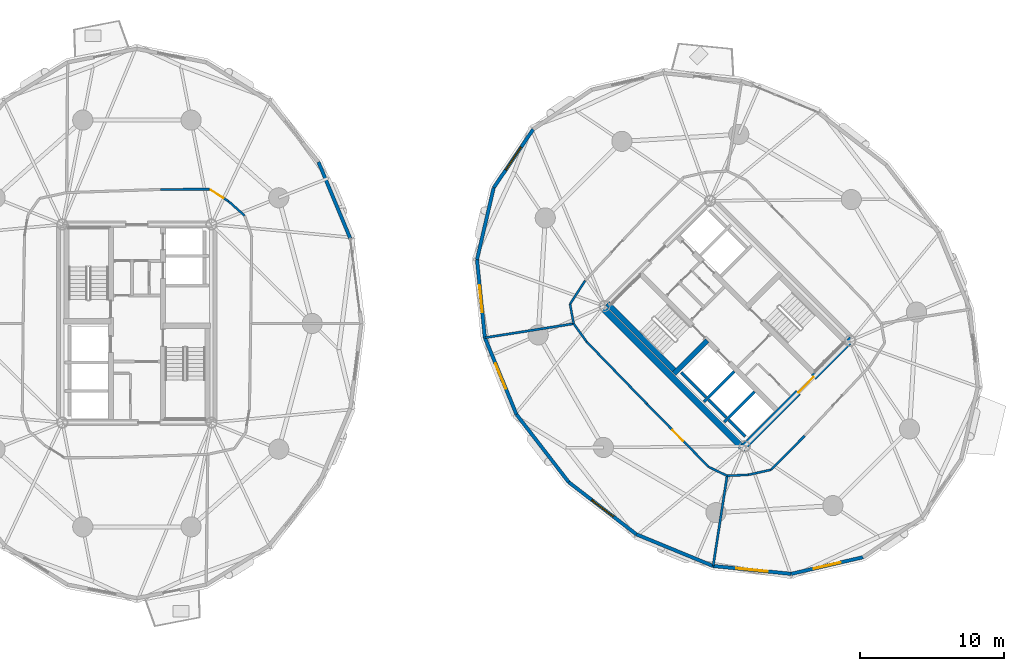
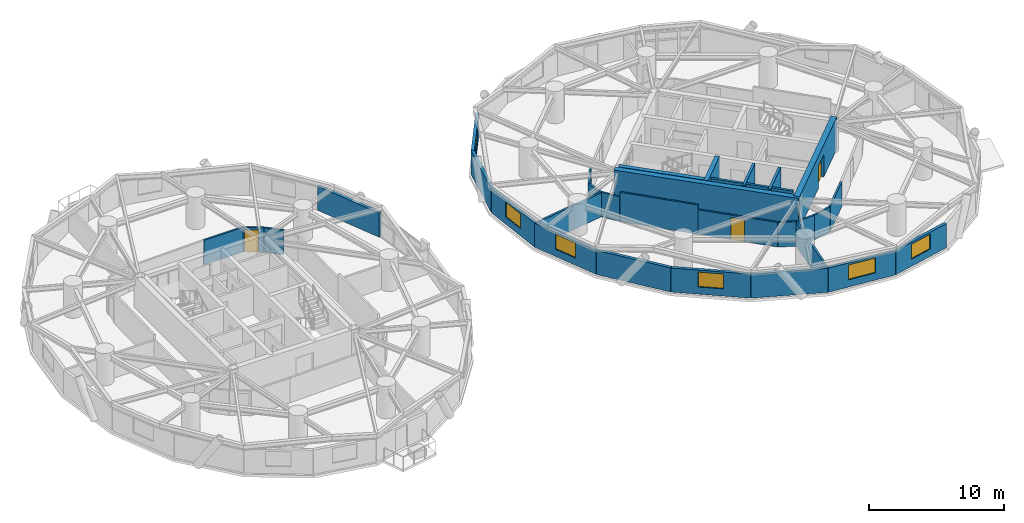
# One storey, part 11 of 17: 33 walls, 6 windows, 3 doors, 9 openings.
"""IFC4 building model written with IfcOpenShell, lengths in metres."""

from ifc_helpers import new_model, si_unit, direction, frame, frame_2d, origin, place, context, subcontext, project, spatial, rectangle, extrude, source, transform, mapped, material, layer, layer_set, type_object, element, fill, save


model = new_model("IFC4")

# Units and contexts
model_context = context("Model", 3, precision=1e-05, world=origin(), true_north=direction((0.0, 1.0)))
body_context = subcontext(model_context, "Body", "Model", "MODEL_VIEW")
ifc_project = project(units=[si_unit("LENGTHUNIT", "METRE"), si_unit("AREAUNIT", "SQUARE_METRE"), si_unit("VOLUMEUNIT", "CUBIC_METRE"), si_unit("PLANEANGLEUNIT", "RADIAN"), si_unit("MASSUNIT", "GRAM", prefix="KILO")], contexts=[model_context])

# Site, building, storey
site_placement = place(None, origin())
site = spatial("IfcSite", under=ifc_project, at=site_placement, CompositionType="ELEMENT")
building_placement = place(site_placement, origin())
building = spatial("IfcBuilding", under=site, at=building_placement, Name="Cununo Teusaquillo Station Towers", CompositionType="ELEMENT")
storey_placement = place(building_placement, frame((0.0, 0.0, 70.14990234375)))
storey = spatial("IfcBuildingStorey", under=building, at=storey_placement, Name="L21", CompositionType="ELEMENT", Elevation=70.14990234375)

# Walls
ifc_material_1 = material(Name="Concrete C50/60", Category="concrete")
ifc_layer_1 = layer(ifc_material_1, 0.199951171875)
ifc_layer_set_1 = layer_set([ifc_layer_1], Name="Concrete C50/60")
wall_type_1 = type_object("IfcWallType", Name="WL-CORE-200", PredefinedType="SHEAR", material=ifc_layer_set_1)
wall_1_placement = place(storey_placement, frame((55.8876953125, 19.0693359375, 0.0), z_axis=(0.0, 0.0, 1.0), x_axis=(0.707106781187, 0.707106781187, 0.0)))
element("IfcWall", 1, at=wall_1_placement, inside=storey, type_object=wall_type_1, Name="L21 Tower B Firefighting Lift Shaft South Shear Wall", PredefinedType="SHEAR", context=body_context, shape_type="SweptSolid", body=[
    extrude(rectangle(XDim=2.969970703125, YDim=0.199951171875, at=frame_2d((1.48486328125, 0.0))), origin(), (0.0, 0.0, 1.0), 2.91015625),
])
wall_2_placement = place(storey_placement, frame((56.01513671875, 19.366455078125, 0.0), z_axis=(0.0, 0.0, 1.0), x_axis=(-0.707106781187, 0.707106781187, 0.0)))
element("IfcWall", 2, at=wall_2_placement, inside=storey, type_object=wall_type_1, Name="L21 Tower B Firefighting Lift Shaft Rear Shear Wall", PredefinedType="SHEAR", context=body_context, shape_type="SweptSolid", body=[
    extrude(rectangle(XDim=2.43994140625, YDim=0.199951171875, at=frame_2d((1.219970703125, 0.0))), origin(), (0.0, 0.0, 1.0), 2.91015625),
])
wall_3_placement = place(storey_placement, frame((57.2841796875, 17.6728515625, 0.0), z_axis=(0.0, 0.0, 1.0), x_axis=(0.707147878904, 0.70706568108, 0.0)))
element("IfcWall", 3, at=wall_3_placement, inside=storey, type_object=wall_type_1, Name="L21 Tower B High-Rise Lift Hoistway Divider Shear Wall", PredefinedType="SHEAR", context=body_context, shape_type="SweptSolid", body=[
    extrude(rectangle(XDim=2.97021484375, YDim=0.199951171875, at=frame_2d((1.485107421875, 0.0))), origin(), (0.0, 0.0, 1.0), 2.91015625),
])
wall_4_placement = place(storey_placement, frame((57.41162109375, 17.969970703125, 0.0), z_axis=(0.0, 0.0, 1.0), x_axis=(-0.707106781187, 0.707106781187, 0.0)))
element("IfcWall", 4, at=wall_4_placement, inside=storey, type_object=wall_type_1, Name="L21 Tower B High-Rise Lift 2 Shaft Rear Shear Wall", PredefinedType="SHEAR", context=body_context, shape_type="SweptSolid", body=[
    extrude(rectangle(XDim=1.73486328125, YDim=0.199951171875, at=frame_2d((0.867431640625, 0.0))), origin(), (0.0, 0.0, 1.0), 2.91015625),
])
wall_5_placement = place(storey_placement, frame((58.7373046875, 16.64404296875, 0.0), z_axis=(0.0, 0.0, 1.0), x_axis=(-0.707032117043, 0.707181437447, 0.0)))
element("IfcWall", 5, at=wall_5_placement, inside=storey, type_object=wall_type_1, Name="L21 Tower B High-Rise Lift 1 Shaft Rear Shear Wall", PredefinedType="SHEAR", context=body_context, shape_type="SweptSolid", body=[
    extrude(rectangle(XDim=1.635009765625, YDim=0.199951171875, at=frame_2d((0.8173828125, 0.0))), origin(), (0.0, 0.0, 1.0), 2.91015625),
])
ifc_material_2 = material(Name="Concrete C50/60", Category="concrete")
ifc_layer_2 = layer(ifc_material_2, 0.35009765625)
ifc_layer_set_2 = layer_set([ifc_layer_2], Name="Concrete C50/60")
wall_type_2 = type_object("IfcWallType", Name="WL-CORE-350", PredefinedType="SHEAR", material=ifc_layer_set_2)
wall_6_placement = place(storey_placement, frame((53.922119140625, 21.14111328125, 0.0), z_axis=(0.0, 0.0, 1.0), x_axis=(-0.707088616009, 0.707124945897, 0.0)))
element("IfcWall", 6, at=wall_6_placement, inside=storey, type_object=wall_type_2, Name="L21 Tower B Core Shear Wall ST1W", PredefinedType="SHEAR", context=body_context, shape_type="SweptSolid", body=[
    extrude(rectangle(XDim=6.72021484375, YDim=0.35009765625, at=frame_2d((3.360107421875, 0.0))), origin(), (0.0, 0.0, 1.0), 2.91015625),
])
wall_7_placement = place(storey_placement, frame((53.7841796875, 21.00341796875, 0.0), z_axis=(0.0, 0.0, 1.0), x_axis=(0.707106781187, 0.707106781187, 0.0)))
element("IfcWall", 7, at=wall_7_placement, inside=storey, type_object=wall_type_2, Name="L21 Tower B Core Shear Wall ST1S", PredefinedType="SHEAR", context=body_context, shape_type="SweptSolid", body=[
    extrude(rectangle(XDim=3.284912109375, YDim=0.35009765625, at=frame_2d((1.642578125, 0.0))), origin(), (0.0, 0.0, 1.0), 2.91015625),
])
ifc_material_3 = material(Name="Concrete C60/75", Category="concrete")
ifc_layer_3 = layer(ifc_material_3, 0.449951171875)
ifc_layer_set_3 = layer_set([ifc_layer_3], Name="Concrete C60/75")
wall_type_3 = type_object("IfcWallType", Name="WL-CORE-450", PredefinedType="SHEAR", material=ifc_layer_set_3)
wall_8_placement = place(storey_placement, frame((58.7373046875, 15.696533203125, 0.0), z_axis=(0.0, 0.0, 1.0), x_axis=(-0.707106781187, 0.707106781187, 0.0)))
element("IfcWall", 8, at=wall_8_placement, inside=storey, type_object=wall_type_3, Name="L21 Tower B Core Shear Wall W", PredefinedType="SHEAR", context=body_context, shape_type="SweptSolid", body=[
    extrude(rectangle(XDim=14.19970703125, YDim=0.449951171875, at=frame_2d((7.099853515625, 0.0))), origin(), (0.0, 0.0, 1.0), 2.91015625),
])

# Wall, opening, door
wall_9_placement = place(storey_placement, frame((58.578369140625, 15.855712890625, 0.0), z_axis=(0.0, 0.0, 1.0), x_axis=(0.707106781187, 0.707106781187, 0.0)))
wall_9 = element("IfcWall", 9, at=wall_9_placement, inside=storey, type_object=wall_type_3, Name="L21 Tower B Core Shear Wall S", PredefinedType="SHEAR", context=body_context, shape_type="SweptSolid", body=[
    extrude(rectangle(XDim=10.69970703125, YDim=0.449951171875, at=frame_2d((5.349853515625, 0.0))), origin(), (0.0, 0.0, 1.0), 2.91015625),
])
shared_shape_1 = source(origin(), body_context, "Body", "SweptSolid", [
    extrude(rectangle(XDim=1.5, YDim=2.02001953125, at=frame_2d((0.75, 1.010009765625))), frame((0.0, 0.23486328125, 0.0), z_axis=(0.0, -1.0, 0.0), x_axis=(1.0, 0.0, 0.0)), (0.0, 0.0, 1.0), 0.469970703125),
])
opening_1_placement = place(wall_9_placement, frame((5.449951171875, 0.0, 0.0)))
opening_1 = element("IfcOpeningElement", 10, at=opening_1_placement, cuts=wall_9, Name="Opening D-LB1", PredefinedType="OPENING", context=body_context, shape_type="MappedRepresentation", body=[
    mapped(shared_shape_1, transform((0.0, 0.0, 0.0), x_axis=(1.0, 0.0, 0.0), y_axis=(0.0, 1.0, 0.0), z_axis=(0.0, 0.0, 1.0), scale=1.0)),
])
ifc_material_4 = material(Name="Galvanised fire-rated hollow steel door assembly", Category="steel")
door_type_1 = type_object("IfcDoorType", Name="DR-LOBBY-1500", OperationType="DOUBLE_DOOR_SINGLE_SWING", PredefinedType="DOOR", material=ifc_material_4)
shared_shape_2 = source(origin(), body_context, "Body", "SweptSolid", [
    extrude(rectangle(XDim=1.5, YDim=2.02001953125, at=frame_2d((0.75, 1.010009765625))), frame((0.0, 0.02490234375, 0.0), z_axis=(0.0, -1.0, 0.0), x_axis=(1.0, 0.0, 0.0)), (0.0, 0.0, 1.0), 0.050048828125),
])
door_1_placement = place(opening_1_placement, origin())
door_1 = element("IfcDoor", 11, at=door_1_placement, inside=storey, type_object=door_type_1, Name="L21 Tower B South Core Lift Lobby Door", OperationType="DOUBLE_DOOR_SINGLE_SWING", OverallHeight=2.02001953125, OverallWidth=1.5, PredefinedType="DOOR", context=body_context, shape_type="MappedRepresentation", body=[
    mapped(shared_shape_2, transform((0.0, 0.0, 0.0), x_axis=(1.0, 0.0, 0.0), y_axis=(0.0, 1.0, 0.0), z_axis=(0.0, 0.0, 1.0), scale=1.0)),
])
fill(opening_1, door_1)

# Wall
ifc_material_5 = material(Name="Precast concrete C40/50", Category="concrete")
ifc_layer_4 = layer(ifc_material_5, 0.239990234375)
ifc_layer_set_4 = layer_set([ifc_layer_4], Name="Precast concrete C40/50")
wall_type_4 = type_object("IfcWallType", Name="WL-EXT-240", PredefinedType="SOLIDWALL", material=ifc_layer_set_4)
wall_10_placement = place(storey_placement, frame((29.105224609375, 35.708984375, 0.0), z_axis=(0.0, 0.0, 1.0), x_axis=(0.384344417632, -0.923189779317, 0.0)))
element("IfcWall", 12, at=wall_10_placement, inside=storey, type_object=wall_type_4, Name="L21 Tower A Exterior Facade Wall C01", PredefinedType="SOLIDWALL", context=body_context, shape_type="SweptSolid", body=[
    extrude(rectangle(XDim=5.75830078125, YDim=0.239990234375, at=frame_2d((2.879150390625, 0.0))), origin(), (0.0, 0.0, 1.0), 2.17919921875),
])

# Wall, opening, window
wall_11_placement = place(storey_placement, frame((41.27099609375, 33.919921875, 0.0), z_axis=(0.0, 0.0, 1.0), x_axis=(0.559572880421, 0.828781148131, 0.0)))
wall_11 = element("IfcWall", 13, at=wall_11_placement, inside=storey, type_object=wall_type_4, Name="L21 Tower B Exterior Facade Wall C05", PredefinedType="SOLIDWALL", context=body_context, shape_type="SweptSolid", body=[
    extrude(rectangle(XDim=4.904541015625, YDim=0.239990234375, at=frame_2d((2.4521484375, 0.0))), origin(), (0.0, 0.0, 1.0), 2.17919921875),
])
shared_shape_3 = source(origin(), body_context, "Body", "SweptSolid", [
    extrude(rectangle(XDim=1.89990234375, YDim=1.35009765625, at=frame_2d((0.949951171875, 0.675048828125))), frame((0.0, 0.1298828125, 0.0), z_axis=(0.0, -1.0, 0.0), x_axis=(1.0, 0.0, 0.0)), (0.0, 0.0, 1.0), 0.260009765625),
])
opening_2_placement = place(wall_11_placement, frame((1.501953125, 0.0, 0.64990234375)))
opening_2 = element("IfcOpeningElement", 14, at=opening_2_placement, cuts=wall_11, Name="Opening WN-02", PredefinedType="OPENING", context=body_context, shape_type="MappedRepresentation", body=[
    mapped(shared_shape_3, transform((0.0, 0.0, 0.0), x_axis=(1.0, 0.0, 0.0), y_axis=(0.0, 1.0, 0.0), z_axis=(0.0, 0.0, 1.0), scale=1.0)),
])
ifc_material_6 = material(Name="Operable acoustic tinted low-E double glazing", Category="glass")
window_type_1 = type_object("IfcWindowType", Name="WIN-OPER-1900", PartitioningType="DOUBLE_PANEL_VERTICAL", PredefinedType="WINDOW", material=ifc_material_6)
shared_shape_4 = source(origin(), body_context, "Body", "SweptSolid", [
    extrude(rectangle(XDim=1.89990234375, YDim=1.35009765625, at=frame_2d((0.949951171875, 0.675048828125))), frame((0.0, 0.030029296875, 0.0), z_axis=(0.0, -1.0, 0.0), x_axis=(1.0, 0.0, 0.0)), (0.0, 0.0, 1.0), 0.06005859375),
])
window_1_placement = place(opening_2_placement, origin())
window_1 = element("IfcWindow", 15, at=window_1_placement, inside=storey, type_object=window_type_1, Name="L21 Tower B Facade Window C05", OverallHeight=1.35009765625, OverallWidth=1.89990234375, PartitioningType="DOUBLE_PANEL_VERTICAL", PredefinedType="WINDOW", context=body_context, shape_type="MappedRepresentation", body=[
    mapped(shared_shape_4, transform((0.0, 0.0, 0.0), x_axis=(1.0, 0.0, 0.0), y_axis=(0.0, 1.0, 0.0), z_axis=(0.0, 0.0, 1.0), scale=1.0)),
])
fill(opening_2, window_1)

# Wall
wall_12_placement = place(storey_placement, frame((40.114990234375, 28.933349609375, 0.0), z_axis=(0.0, 0.0, 1.0), x_axis=(0.225834725257, 0.974165631126, 0.0)))
element("IfcWall", 16, at=wall_12_placement, inside=storey, type_object=wall_type_4, Name="L21 Tower B Exterior Facade Wall C06", PredefinedType="SOLIDWALL", context=body_context, shape_type="SweptSolid", body=[
    extrude(rectangle(XDim=5.118896484375, YDim=0.239990234375, at=frame_2d((2.5595703125, 0.0))), origin(), (0.0, 0.0, 1.0), 2.17919921875),
])

# Wall, opening, window
wall_13_placement = place(storey_placement, frame((40.66064453125, 23.5126953125, 0.0), z_axis=(0.0, 0.0, 1.0), x_axis=(-0.10015591906, 0.994971754311, 0.0)))
wall_13 = element("IfcWall", 17, at=wall_13_placement, inside=storey, type_object=wall_type_4, Name="L21 Tower B Exterior Facade Wall C07", PredefinedType="SOLIDWALL", context=body_context, shape_type="SweptSolid", body=[
    extrude(rectangle(XDim=5.447998046875, YDim=0.239990234375, at=frame_2d((2.72412109375, 0.0))), origin(), (0.0, 0.0, 1.0), 2.17919921875),
])
opening_3_placement = place(wall_13_placement, frame((1.77392578125, 0.0, 0.64990234375)))
opening_3 = element("IfcOpeningElement", 18, at=opening_3_placement, cuts=wall_13, Name="Opening WN-02", PredefinedType="OPENING", context=body_context, shape_type="MappedRepresentation", body=[
    mapped(shared_shape_3, transform((0.0, 0.0, 0.0), x_axis=(1.0, 0.0, 0.0), y_axis=(0.0, 1.0, 0.0), z_axis=(0.0, 0.0, 1.0), scale=1.0)),
])
window_2_placement = place(opening_3_placement, origin())
window_2 = element("IfcWindow", 19, at=window_2_placement, inside=storey, type_object=window_type_1, Name="L21 Tower B Facade Window C07", OverallHeight=1.35009765625, OverallWidth=1.89990234375, PartitioningType="DOUBLE_PANEL_VERTICAL", PredefinedType="WINDOW", context=body_context, shape_type="MappedRepresentation", body=[
    mapped(shared_shape_4, transform((0.0, 0.0, 0.0), x_axis=(1.0, 0.0, 0.0), y_axis=(0.0, 1.0, 0.0), z_axis=(0.0, 0.0, 1.0), scale=1.0)),
])
fill(opening_3, window_2)

wall_14_placement = place(storey_placement, frame((42.854736328125, 18.188720703125, 0.0), z_axis=(0.0, 0.0, 1.0), x_axis=(-0.381027003055, 0.924563909604, 0.0)))
wall_14 = element("IfcWall", 20, at=wall_14_placement, inside=storey, type_object=wall_type_4, Name="L21 Tower B Exterior Facade Wall C08", PredefinedType="SOLIDWALL", context=body_context, shape_type="SweptSolid", body=[
    extrude(rectangle(XDim=5.75830078125, YDim=0.239990234375, at=frame_2d((2.879150390625, 0.0))), origin(), (0.0, 0.0, 1.0), 2.17919921875),
])
opening_4_placement = place(wall_14_placement, frame((1.928955078125, 0.0, 0.64990234375)))
opening_4 = element("IfcOpeningElement", 21, at=opening_4_placement, cuts=wall_14, Name="Opening WN-02", PredefinedType="OPENING", context=body_context, shape_type="MappedRepresentation", body=[
    mapped(shared_shape_3, transform((0.0, 0.0, 0.0), x_axis=(1.0, 0.0, 0.0), y_axis=(0.0, 1.0, 0.0), z_axis=(0.0, 0.0, 1.0), scale=1.0)),
])
window_3_placement = place(opening_4_placement, origin())
window_3 = element("IfcWindow", 22, at=window_3_placement, inside=storey, type_object=window_type_1, Name="L21 Tower B Facade Window C08", OverallHeight=1.35009765625, OverallWidth=1.89990234375, PartitioningType="DOUBLE_PANEL_VERTICAL", PredefinedType="WINDOW", context=body_context, shape_type="MappedRepresentation", body=[
    mapped(shared_shape_4, transform((0.0, 0.0, 0.0), x_axis=(1.0, 0.0, 0.0), y_axis=(0.0, 1.0, 0.0), z_axis=(0.0, 0.0, 1.0), scale=1.0)),
])
fill(opening_4, window_3)

# Wall
wall_15_placement = place(storey_placement, frame((46.482666015625, 13.482666015625, 0.0), z_axis=(0.0, 0.0, 1.0), x_axis=(-0.61054437102, 0.791982052206, 0.0)))
element("IfcWall", 23, at=wall_15_placement, inside=storey, type_object=wall_type_4, Name="L21 Tower B Exterior Facade Wall C09", PredefinedType="SOLIDWALL", context=body_context, shape_type="SweptSolid", body=[
    extrude(rectangle(XDim=5.942138671875, YDim=0.239990234375, at=frame_2d((2.97119140625, 0.0))), origin(), (0.0, 0.0, 1.0), 2.17919921875),
])

# Wall, opening, window
wall_16_placement = place(storey_placement, frame((51.188720703125, 9.854736328125, 0.0), z_axis=(0.0, 0.0, 1.0), x_axis=(-0.791982052206, 0.61054437102, 0.0)))
wall_16 = element("IfcWall", 24, at=wall_16_placement, inside=storey, type_object=wall_type_4, Name="L21 Tower B Exterior Facade Wall C10", PredefinedType="SOLIDWALL", context=body_context, shape_type="SweptSolid", body=[
    extrude(rectangle(XDim=5.942138671875, YDim=0.239990234375, at=frame_2d((2.97119140625, 0.0))), origin(), (0.0, 0.0, 1.0), 2.17919921875),
])
opening_5_placement = place(wall_16_placement, frame((2.02099609375, 0.0, 0.64990234375)))
opening_5 = element("IfcOpeningElement", 25, at=opening_5_placement, cuts=wall_16, Name="Opening WN-02", PredefinedType="OPENING", context=body_context, shape_type="MappedRepresentation", body=[
    mapped(shared_shape_3, transform((0.0, 0.0, 0.0), x_axis=(1.0, 0.0, 0.0), y_axis=(0.0, 1.0, 0.0), z_axis=(0.0, 0.0, 1.0), scale=1.0)),
])
window_4_placement = place(opening_5_placement, origin())
window_4 = element("IfcWindow", 26, at=window_4_placement, inside=storey, type_object=window_type_1, Name="L21 Tower B Facade Window C10", OverallHeight=1.35009765625, OverallWidth=1.89990234375, PartitioningType="DOUBLE_PANEL_VERTICAL", PredefinedType="WINDOW", context=body_context, shape_type="MappedRepresentation", body=[
    mapped(shared_shape_4, transform((0.0, 0.0, 0.0), x_axis=(1.0, 0.0, 0.0), y_axis=(0.0, 1.0, 0.0), z_axis=(0.0, 0.0, 1.0), scale=1.0)),
])
fill(opening_5, window_4)

# Wall
wall_17_placement = place(storey_placement, frame((56.5126953125, 7.66064453125, 0.0), z_axis=(0.0, 0.0, 1.0), x_axis=(-0.924563909604, 0.381027003055, 0.0)))
element("IfcWall", 27, at=wall_17_placement, inside=storey, type_object=wall_type_4, Name="L21 Tower B Exterior Facade Wall C11", PredefinedType="SOLIDWALL", context=body_context, shape_type="SweptSolid", body=[
    extrude(rectangle(XDim=5.75830078125, YDim=0.239990234375, at=frame_2d((2.879150390625, 0.0))), origin(), (0.0, 0.0, 1.0), 2.17919921875),
])

# Wall, opening, window
wall_18_placement = place(storey_placement, frame((61.933349609375, 7.114990234375, 0.0), z_axis=(0.0, 0.0, 1.0), x_axis=(-0.994971754311, 0.10015591906, 0.0)))
wall_18 = element("IfcWall", 28, at=wall_18_placement, inside=storey, type_object=wall_type_4, Name="L21 Tower B Exterior Facade Wall C12", PredefinedType="SOLIDWALL", context=body_context, shape_type="SweptSolid", body=[
    extrude(rectangle(XDim=5.447998046875, YDim=0.239990234375, at=frame_2d((2.72412109375, 0.0))), origin(), (0.0, 0.0, 1.0), 2.17919921875),
])
shared_shape_5 = source(origin(), body_context, "Body", "SweptSolid", [
    extrude(rectangle(XDim=2.199951171875, YDim=1.35009765625, at=frame_2d((1.10009765625, 0.675048828125))), frame((0.0, 0.1298828125, 0.0), z_axis=(0.0, -1.0, 0.0), x_axis=(1.0, 0.0, 0.0)), (0.0, 0.0, 1.0), 0.260009765625),
])
opening_6_placement = place(wall_18_placement, frame((1.6240234375, 0.0, 0.64990234375)))
opening_6 = element("IfcOpeningElement", 29, at=opening_6_placement, cuts=wall_18, Name="Opening WN-01", PredefinedType="OPENING", context=body_context, shape_type="MappedRepresentation", body=[
    mapped(shared_shape_5, transform((0.0, 0.0, 0.0), x_axis=(1.0, 0.0, 0.0), y_axis=(0.0, 1.0, 0.0), z_axis=(0.0, 0.0, 1.0), scale=1.0)),
])
ifc_material_7 = material(Name="Ceramic-fritted dark low-E double glazing", Category="glass")
window_type_2 = type_object("IfcWindowType", Name="WIN-FRIT-2200", PartitioningType="DOUBLE_PANEL_VERTICAL", PredefinedType="WINDOW", material=ifc_material_7)
shared_shape_6 = source(origin(), body_context, "Body", "SweptSolid", [
    extrude(rectangle(XDim=2.199951171875, YDim=1.35009765625, at=frame_2d((1.10009765625, 0.675048828125))), frame((0.0, 0.030029296875, 0.0), z_axis=(0.0, -1.0, 0.0), x_axis=(1.0, 0.0, 0.0)), (0.0, 0.0, 1.0), 0.06005859375),
])
window_5_placement = place(opening_6_placement, origin())
window_5 = element("IfcWindow", 30, at=window_5_placement, inside=storey, type_object=window_type_2, Name="L21 Tower B Facade Window C12", OverallHeight=1.35009765625, OverallWidth=2.199951171875, PartitioningType="DOUBLE_PANEL_VERTICAL", PredefinedType="WINDOW", context=body_context, shape_type="MappedRepresentation", body=[
    mapped(shared_shape_6, transform((0.0, 0.0, 0.0), x_axis=(1.0, 0.0, 0.0), y_axis=(0.0, 1.0, 0.0), z_axis=(0.0, 0.0, 1.0), scale=1.0)),
])
fill(opening_6, window_5)

wall_19_placement = place(storey_placement, frame((66.919921875, 8.27099609375, 0.0), z_axis=(0.0, 0.0, 1.0), x_axis=(-0.974165631126, -0.225834725257, 0.0)))
wall_19 = element("IfcWall", 31, at=wall_19_placement, inside=storey, type_object=wall_type_4, Name="L21 Tower B Exterior Facade Wall C13", PredefinedType="SOLIDWALL", context=body_context, shape_type="SweptSolid", body=[
    extrude(rectangle(XDim=5.118896484375, YDim=0.239990234375, at=frame_2d((2.5595703125, 0.0))), origin(), (0.0, 0.0, 1.0), 2.17919921875),
])
opening_7_placement = place(wall_19_placement, frame((1.60888671875, 0.0, 0.64990234375)))
opening_7 = element("IfcOpeningElement", 32, at=opening_7_placement, cuts=wall_19, Name="Opening WN-02", PredefinedType="OPENING", context=body_context, shape_type="MappedRepresentation", body=[
    mapped(shared_shape_3, transform((0.0, 0.0, 0.0), x_axis=(1.0, 0.0, 0.0), y_axis=(0.0, 1.0, 0.0), z_axis=(0.0, 0.0, 1.0), scale=1.0)),
])
window_6_placement = place(opening_7_placement, origin())
window_6 = element("IfcWindow", 33, at=window_6_placement, inside=storey, type_object=window_type_1, Name="L21 Tower B Facade Window C13", OverallHeight=1.35009765625, OverallWidth=1.89990234375, PartitioningType="DOUBLE_PANEL_VERTICAL", PredefinedType="WINDOW", context=body_context, shape_type="MappedRepresentation", body=[
    mapped(shared_shape_4, transform((0.0, 0.0, 0.0), x_axis=(1.0, 0.0, 0.0), y_axis=(0.0, 1.0, 0.0), z_axis=(0.0, 0.0, 1.0), scale=1.0)),
])
fill(opening_7, window_6)

# Wall
ifc_material_8 = material(Name="Fire-rated gypsum plasterboard partition assembly", Category="gypsum")
ifc_layer_5 = layer(ifc_material_8, 0.14990234375)
ifc_layer_set_5 = layer_set([ifc_layer_5], Name="Fire-rated gypsum plasterboard partition assembly")
wall_type_5 = type_object("IfcWallType", Name="WL-PART-150", PredefinedType="PARTITIONING", material=ifc_layer_set_5)
wall_20_placement = place(storey_placement, frame((23.979736328125, 31.986572265625, 0.0), z_axis=(0.0, 0.0, 1.0), x_axis=(-0.744317922268, 0.667825449193, 0.0)))
element("IfcWall", 34, at=wall_20_placement, inside=storey, type_object=wall_type_5, Name="L21 Tower A Corridor Ring Wall C02", PredefinedType="PARTITIONING", context=body_context, shape_type="SweptSolid", body=[
    extrude(rectangle(XDim=1.48095703125, YDim=0.14990234375, at=frame_2d((0.740478515625, 0.0))), origin(), (0.0, 0.0, 1.0), 2.22509765625),
])

# Wall, opening, door
wall_21_placement = place(storey_placement, frame((22.87744140625, 32.9755859375, 0.0), z_axis=(0.0, 0.0, 1.0), x_axis=(-0.846723232687, 0.532033614754, 0.0)))
wall_21 = element("IfcWall", 35, at=wall_21_placement, inside=storey, type_object=wall_type_5, Name="L21 Tower A Corridor Ring Wall C03", PredefinedType="PARTITIONING", context=body_context, shape_type="SweptSolid", body=[
    extrude(rectangle(XDim=1.594970703125, YDim=0.14990234375, at=frame_2d((0.79736328125, 0.0))), origin(), (0.0, 0.0, 1.0), 2.22509765625),
])
shared_shape_7 = source(origin(), body_context, "Body", "SweptSolid", [
    extrude(rectangle(XDim=1.050048828125, YDim=2.014892578125, at=frame_2d((0.52490234375, 1.00732421875))), frame((0.0, 0.0849609375, 0.0), z_axis=(0.0, -1.0, 0.0), x_axis=(1.0, 0.0, 0.0)), (0.0, 0.0, 1.0), 0.169921875),
])
opening_8_placement = place(wall_21_placement, frame((0.425048828125, 0.0, 0.0)))
opening_8 = element("IfcOpeningElement", 36, at=opening_8_placement, cuts=wall_21, Name="Opening D-SU1", PredefinedType="OPENING", context=body_context, shape_type="MappedRepresentation", body=[
    mapped(shared_shape_7, transform((0.0, 0.0, 0.0), x_axis=(1.0, 0.0, 0.0), y_axis=(0.0, 1.0, 0.0), z_axis=(0.0, 0.0, 1.0), scale=1.0)),
])
ifc_material_9 = material(Name="Acoustic solid-core hardwood leaf assembly", Category="wood")
door_type_2 = type_object("IfcDoorType", Name="DR-SUITE-1050", OperationType="NOTDEFINED", PredefinedType="DOOR", material=ifc_material_9)
shared_shape_8 = source(origin(), body_context, "Body", "SweptSolid", [
    extrude(rectangle(XDim=1.050048828125, YDim=2.014892578125, at=frame_2d((0.52490234375, 1.00732421875))), frame((0.0, 0.02490234375, 0.0), z_axis=(0.0, -1.0, 0.0), x_axis=(1.0, 0.0, 0.0)), (0.0, 0.0, 1.0), 0.050048828125),
])
door_2_placement = place(opening_8_placement, origin())
door_2 = element("IfcDoor", 37, at=door_2_placement, inside=storey, type_object=door_type_2, Name="L21 Tower A North Open-Plan Corporate Landscape Office Entrance Door", OperationType="SINGLE_SWING_RIGHT", OverallHeight=2.014892578125, OverallWidth=1.050048828125, PredefinedType="DOOR", context=body_context, shape_type="MappedRepresentation", body=[
    mapped(shared_shape_8, transform((0.0, 0.0, 0.0), x_axis=(1.0, 0.0, 0.0), y_axis=(0.0, 1.0, 0.0), z_axis=(0.0, 0.0, 1.0), scale=1.0)),
])
fill(opening_8, door_2)

# Walls
wall_22_placement = place(storey_placement, frame((21.52685546875, 33.82421875, 0.0), z_axis=(0.0, 0.0, 1.0), x_axis=(-0.999990631344, -0.00432865146, 0.0)))
element("IfcWall", 38, at=wall_22_placement, inside=storey, type_object=wall_type_5, Name="L21 Tower A Corridor Ring Wall C04", PredefinedType="PARTITIONING", context=body_context, shape_type="SweptSolid", body=[
    extrude(rectangle(XDim=3.384033203125, YDim=0.14990234375, at=frame_2d((1.69189453125, 0.0))), origin(), (0.0, 0.0, 1.0), 2.22509765625),
])
wall_23_placement = place(storey_placement, frame((47.623046875, 27.475341796875, 0.0), z_axis=(0.0, 0.0, 1.0), x_axis=(-0.54158041545, -0.840648947898, 0.0)))
element("IfcWall", 39, at=wall_23_placement, inside=storey, type_object=wall_type_5, Name="L21 Tower B Corridor Ring Wall C06", PredefinedType="PARTITIONING", context=body_context, shape_type="SweptSolid", body=[
    extrude(rectangle(XDim=1.933837890625, YDim=0.14990234375, at=frame_2d((0.966796875, 0.0))), origin(), (0.0, 0.0, 1.0), 2.22509765625),
])
wall_24_placement = place(storey_placement, frame((46.57568359375, 25.849609375, 0.0), z_axis=(0.0, 0.0, 1.0), x_axis=(0.178962865041, -0.983855829345, 0.0)))
element("IfcWall", 40, at=wall_24_placement, inside=storey, type_object=wall_type_5, Name="L21 Tower B Corridor Ring Wall C07", PredefinedType="PARTITIONING", context=body_context, shape_type="SweptSolid", body=[
    extrude(rectangle(XDim=1.387451171875, YDim=0.14990234375, at=frame_2d((0.69384765625, 0.0))), origin(), (0.0, 0.0, 1.0), 2.22509765625),
])
wall_25_placement = place(storey_placement, frame((46.823974609375, 24.484619140625, 0.0), z_axis=(0.0, 0.0, 1.0), x_axis=(0.584890953925, -0.811111935565, 0.0)))
element("IfcWall", 41, at=wall_25_placement, inside=storey, type_object=wall_type_5, Name="L21 Tower B Corridor Ring Wall C08", PredefinedType="PARTITIONING", context=body_context, shape_type="SweptSolid", body=[
    extrude(rectangle(XDim=1.546630859375, YDim=0.14990234375, at=frame_2d((0.7734375, 0.0))), origin(), (0.0, 0.0, 1.0), 2.22509765625),
])
wall_26_placement = place(storey_placement, frame((47.728515625, 23.230224609375, 0.0), z_axis=(0.0, 0.0, 1.0), x_axis=(0.696119834292, -0.717925606386, 0.0)))
element("IfcWall", 42, at=wall_26_placement, inside=storey, type_object=wall_type_5, Name="L21 Tower B Corridor Ring Wall C09", PredefinedType="PARTITIONING", context=body_context, shape_type="SweptSolid", body=[
    extrude(rectangle(XDim=6.012451171875, YDim=0.14990234375, at=frame_2d((3.00634765625, 0.0))), origin(), (0.0, 0.0, 1.0), 2.655029296875),
])

# Wall, opening, door
wall_27_placement = place(storey_placement, frame((51.913818359375, 18.913818359375, 0.0), z_axis=(0.0, 0.0, 1.0), x_axis=(0.6999614951, -0.71418058317, 0.0)))
wall_27 = element("IfcWall", 43, at=wall_27_placement, inside=storey, type_object=wall_type_5, Name="L21 Tower B Corridor Ring Wall C10", PredefinedType="PARTITIONING", context=body_context, shape_type="SweptSolid", body=[
    extrude(rectangle(XDim=6.129638671875, YDim=0.14990234375, at=frame_2d((3.06494140625, 0.0))), origin(), (0.0, 0.0, 1.0), 2.22509765625),
])
opening_9_placement = place(wall_27_placement, frame((2.539794921875, 0.0, 0.0)))
opening_9 = element("IfcOpeningElement", 44, at=opening_9_placement, cuts=wall_27, Name="Opening D-SU1", PredefinedType="OPENING", context=body_context, shape_type="MappedRepresentation", body=[
    mapped(shared_shape_7, transform((0.0, 0.0, 0.0), x_axis=(1.0, 0.0, 0.0), y_axis=(0.0, 1.0, 0.0), z_axis=(0.0, 0.0, 1.0), scale=1.0)),
])
door_3_placement = place(opening_9_placement, origin())
door_3 = element("IfcDoor", 45, at=door_3_placement, inside=storey, type_object=door_type_2, Name="L21 Tower B South Client Reception & Boardroom Lounge Entrance Door", OperationType="SINGLE_SWING_RIGHT", OverallHeight=2.014892578125, OverallWidth=1.050048828125, PredefinedType="DOOR", context=body_context, shape_type="MappedRepresentation", body=[
    mapped(shared_shape_8, transform((0.0, 0.0, 0.0), x_axis=(1.0, 0.0, 0.0), y_axis=(0.0, 1.0, 0.0), z_axis=(0.0, 0.0, 1.0), scale=1.0)),
])
fill(opening_9, door_3)

# Walls
wall_28_placement = place(storey_placement, frame((56.204345703125, 14.5361328125, 0.0), z_axis=(0.0, 0.0, 1.0), x_axis=(0.902244982981, -0.431223828986, 0.0)))
element("IfcWall", 46, at=wall_28_placement, inside=storey, type_object=wall_type_5, Name="L21 Tower B Corridor Ring Wall C11", PredefinedType="PARTITIONING", context=body_context, shape_type="SweptSolid", body=[
    extrude(rectangle(XDim=1.4169921875, YDim=0.14990234375, at=frame_2d((0.70849609375, 0.0))), origin(), (0.0, 0.0, 1.0), 2.22509765625),
])
wall_29_placement = place(storey_placement, frame((57.48291015625, 13.925048828125, 0.0), z_axis=(0.0, 0.0, 1.0), x_axis=(0.998884345706, 0.047223552414, 0.0)))
element("IfcWall", 47, at=wall_29_placement, inside=storey, type_object=wall_type_5, Name="L21 Tower B Corridor Ring Wall C12", PredefinedType="PARTITIONING", context=body_context, shape_type="SweptSolid", body=[
    extrude(rectangle(XDim=1.494140625, YDim=0.14990234375, at=frame_2d((0.7470703125, 0.0))), origin(), (0.0, 0.0, 1.0), 2.22509765625),
])
wall_30_placement = place(storey_placement, frame((58.975341796875, 13.99560546875, 0.0), z_axis=(0.0, 0.0, 1.0), x_axis=(0.975700857392, 0.219106907431, 0.0)))
element("IfcWall", 48, at=wall_30_placement, inside=storey, type_object=wall_type_5, Name="L21 Tower B Corridor Ring Wall C13", PredefinedType="PARTITIONING", context=body_context, shape_type="SweptSolid", body=[
    extrude(rectangle(XDim=1.591064453125, YDim=0.14990234375, at=frame_2d((0.79541015625, 0.0))), origin(), (0.0, 0.0, 1.0), 2.22509765625),
])
wall_31_placement = place(storey_placement, frame((60.52783203125, 14.34423828125, 0.0), z_axis=(0.0, 0.0, 1.0), x_axis=(0.704381645997, 0.709821454158, 0.0)))
element("IfcWall", 49, at=wall_31_placement, inside=storey, type_object=wall_type_5, Name="L21 Tower B Corridor Ring Wall C14", PredefinedType="PARTITIONING", context=body_context, shape_type="SweptSolid", body=[
    extrude(rectangle(XDim=3.321044921875, YDim=0.14990234375, at=frame_2d((1.66064453125, 0.0))), origin(), (0.0, 0.0, 1.0), 2.22509765625),
])
ifc_material_10 = material(Name="Fire-rated gypsum plasterboard partition assembly", Category="gypsum")
ifc_layer_6 = layer(ifc_material_10, 0.159912109375)
ifc_layer_set_6 = layer_set([ifc_layer_6], Name="Fire-rated gypsum plasterboard partition assembly")
wall_type_6 = type_object("IfcWallType", Name="WL-PART-160", PredefinedType="PARTITIONING", material=ifc_layer_set_6)
wall_32_placement = place(storey_placement, frame((46.823974609375, 24.484619140625, 0.0), z_axis=(0.0, 0.0, 1.0), x_axis=(-0.987794772558, -0.155760994179, 0.0)))
element("IfcWall", 50, at=wall_32_placement, inside=storey, type_object=wall_type_6, Name="L21 Tower B Radial Suite Partition R02", PredefinedType="PARTITIONING", context=body_context, shape_type="SweptSolid", body=[
    extrude(rectangle(XDim=6.219482421875, YDim=0.159912109375, at=frame_2d((3.10986328125, 0.0))), origin(), (0.0, 0.0, 1.0), 2.17919921875),
])
wall_33_placement = place(storey_placement, frame((57.48291015625, 13.925048828125, 0.0), z_axis=(0.0, 0.0, 1.0), x_axis=(-0.153035505395, -0.988220690984, 0.0)))
element("IfcWall", 51, at=wall_33_placement, inside=storey, type_object=wall_type_6, Name="L21 Tower B Radial Suite Partition R03", PredefinedType="PARTITIONING", context=body_context, shape_type="SweptSolid", body=[
    extrude(rectangle(XDim=6.319091796875, YDim=0.159912109375, at=frame_2d((3.15966796875, 0.0))), origin(), (0.0, 0.0, 1.0), 2.17919921875),
])

save(model, "model.ifc")
